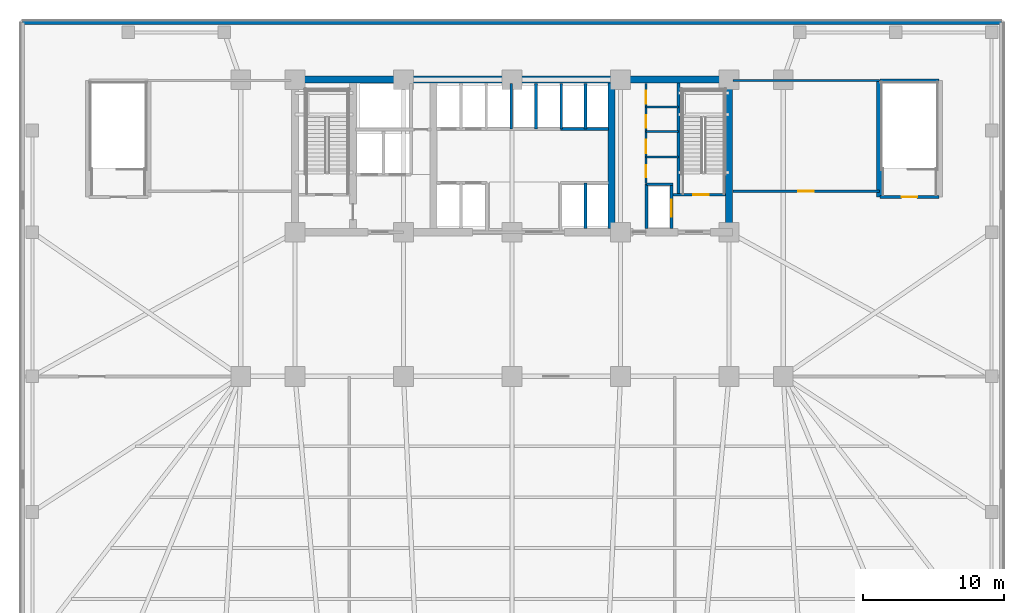
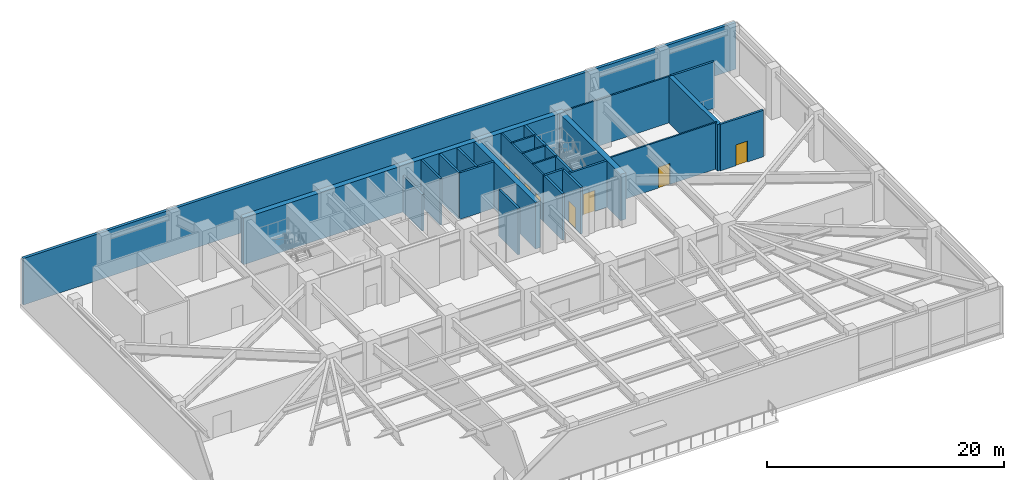
# One storey, part 9 of 15: 24 walls, 8 doors, 8 openings.
"""IFC4 building model written with IfcOpenShell, lengths in metres."""

from ifc_helpers import new_model, si_unit, direction, frame, frame_2d, origin, place, context, subcontext, project, spatial, rectangle, extrude, material, layer, layer_set, type_object, element, fill, save


model = new_model("IFC4")

# Units and contexts
model_context = context("Model", 3, precision=1e-05, world=origin(), true_north=direction((0.0, 1.0)))
body_context = subcontext(model_context, "Body", "Model", "MODEL_VIEW")
ifc_project = project(units=[si_unit("LENGTHUNIT", "METRE"), si_unit("AREAUNIT", "SQUARE_METRE"), si_unit("VOLUMEUNIT", "CUBIC_METRE"), si_unit("PLANEANGLEUNIT", "RADIAN"), si_unit("MASSUNIT", "GRAM", prefix="KILO")], contexts=[model_context])

# Site, building, storey
site_placement = place(None, origin())
site = spatial("IfcSite", under=ifc_project, at=site_placement, CompositionType="ELEMENT")
building_placement = place(site_placement, origin())
building = spatial("IfcBuilding", under=site, at=building_placement, Name="Yelkora Congress Tower", CompositionType="ELEMENT")
storey_placement = place(building_placement, frame((0.0, 0.0, 25.199951171875)))
storey = spatial("IfcBuildingStorey", under=building, at=storey_placement, Name="L05", CompositionType="ELEMENT", Elevation=25.199951171875)

# Walls
ifc_material_1 = material(Name="Concrete C50/60", Category="concrete")
ifc_layer_1 = layer(ifc_material_1, 0.219970703125)
ifc_layer_set_1 = layer_set([ifc_layer_1], Name="Concrete C50/60")
wall_type_1 = type_object("IfcWallType", Name="WALL-CORE-INT-220", PredefinedType="SHEAR", material=ifc_layer_set_1)
wall_1_placement = place(storey_placement, frame((50.179931640625, 38.050048828125, 0.0), z_axis=(0.0, 0.0, 1.0), x_axis=(0.0, 1.0, 0.0)))
element("IfcWall", 1, at=wall_1_placement, inside=storey, type_object=wall_type_1, Name="L05 ST02 West Stair Shear Wall", PredefinedType="SHEAR", context=body_context, shape_type="SweptSolid", body=[
    extrude(rectangle(XDim=7.89990234375, YDim=0.219970703125, at=frame_2d((3.949951171875, 0.0))), origin(), (0.0, 0.0, 1.0), 4.780029296875),
])
ifc_layer_2 = layer(ifc_material_1, 0.39990234375)
ifc_layer_set_2 = layer_set([ifc_layer_2], Name="Concrete C50/60")
wall_type_2 = type_object("IfcWallType", Name="WALL-CORE-INT-400", PredefinedType="SHEAR", material=ifc_layer_set_2)
wall_2_placement = place(storey_placement, frame((64.39990234375, 37.89990234375, 0.0), z_axis=(0.0, 0.0, 1.0), x_axis=(0.0, 1.0, 0.0)))
element("IfcWall", 2, at=wall_2_placement, inside=storey, type_object=wall_type_2, Name="L05 STP2 West Shear Wall", PredefinedType="SHEAR", context=body_context, shape_type="SweptSolid", body=[
    extrude(rectangle(XDim=8.25, YDim=0.39990234375, at=frame_2d((4.125, 0.0))), origin(), (0.0, 0.0, 1.0), 4.780029296875),
])
ifc_material_2 = material(Name="Concrete C60/75", Category="concrete")
ifc_layer_3 = layer(ifc_material_2, 0.5)
ifc_layer_set_3 = layer_set([ifc_layer_3], Name="Concrete C60/75")
wall_type_3 = type_object("IfcWallType", Name="WALL-CORE-INT-500", PredefinedType="SHEAR", material=ifc_layer_set_3)
wall_3_placement = place(storey_placement, frame((22.7900390625, 46.199951171875, 0.0), z_axis=(0.0, 0.0, 1.0), x_axis=(1.0, 0.0, 0.0)))
element("IfcWall", 3, at=wall_3_placement, inside=storey, type_object=wall_type_3, Name="L05 Rear Core North Shear Wall", PredefinedType="SHEAR", context=body_context, shape_type="SweptSolid", body=[
    extrude(rectangle(XDim=31.219970703125, YDim=0.5, at=frame_2d((15.60986328125, 0.0))), origin(), (0.0, 0.0, 1.0), 4.780029296875),
])
for number, where, z_axis, x_axis, name in (
    (4, (45.449951171875, 35.64990234375, 0.0), (0.0, 0.0, 1.0), (0.0, 1.0, 0.0), "L05 Rear Core Cross Shear Wall C3"),
    (5, (53.760009765625, 35.64990234375, 0.0), (0.0, 0.0, 1.0), (0.0, 1.0, 0.0), "L05 Rear Core Cross Shear Wall E"),
):
    element("IfcWall", number, at=place(storey_placement, frame(where, z_axis=z_axis, x_axis=x_axis)), inside=storey, type_object=wall_type_3, Name=name, PredefinedType="SHEAR", context=body_context, shape_type="SweptSolid", body=[
        extrude(rectangle(XDim=10.300048828125, YDim=0.5, at=frame_2d((5.14990234375, 0.0))), origin(), (0.0, 0.0, 1.0), 4.780029296875),
    ])
ifc_material_3 = material(Name="Concrete C40/50", Category="concrete")
ifc_layer_4 = layer(ifc_material_3, 0.280029296875)
ifc_layer_set_4 = layer_set([ifc_layer_4], Name="Concrete C40/50")
wall_type_4 = type_object("IfcWallType", Name="WALL-EXT-LIMESTONE-280", PredefinedType="SOLIDWALL", material=ifc_layer_set_4)
wall_4_placement = place(storey_placement, frame((3.760009765625, 50.239990234375, 0.0), z_axis=(0.0, 0.0, 1.0), x_axis=(1.0, 0.0, 0.0)))
element("IfcWall", 6, at=wall_4_placement, inside=storey, type_object=wall_type_4, Name="L05 Podium Limestone Wall 2", PredefinedType="SOLIDWALL", context=body_context, shape_type="SweptSolid", body=[
    extrude(rectangle(XDim=69.280029296875, YDim=0.280029296875, at=frame_2d((34.64013671875, 0.0))), origin(), (0.0, 0.0, 1.0), 4.780029296875),
])
ifc_material_4 = material(Name="Acoustic metal-stud gypsum partition", Category="gypsum")
ifc_layer_5 = layer(ifc_material_4, 0.14990234375)
ifc_layer_set_5 = layer_set([ifc_layer_5], Name="Acoustic metal-stud gypsum partition")
wall_type_5 = type_object("IfcWallType", Name="WALL-INT-150-NR", PredefinedType="PARTITIONING", material=ifc_layer_set_5)
for number, where, z_axis, x_axis, name in (
    (7, (47.8798828125, 40.719970703125, 0.0), (0.0, 0.0, 1.0), (1.0, 0.0, 0.0), "L05 Partition Wall 28"),
    (8, (47.8798828125, 42.52001953125, 0.0), (0.0, 0.0, 1.0), (1.0, 0.0, 0.0), "L05 Partition Wall 29"),
    (9, (47.8798828125, 44.280029296875, 0.0), (0.0, 0.0, 1.0), (1.0, 0.0, 0.0), "L05 Partition Wall 30"),
):
    element("IfcWall", number, at=place(storey_placement, frame(where, z_axis=z_axis, x_axis=x_axis)), inside=storey, type_object=wall_type_5, Name=name, PredefinedType="PARTITIONING", context=body_context, shape_type="SweptSolid", body=[
        extrude(rectangle(XDim=2.300048828125, YDim=0.14990234375, at=frame_2d((1.14990234375, 0.0))), origin(), (0.0, 0.0, 1.0), 4.780029296875),
    ])

# Wall, openings, doors
wall_5_placement = place(storey_placement, frame((47.8798828125, 38.85009765625, 0.0), z_axis=(0.0, 0.0, 1.0), x_axis=(0.0, 1.0, 0.0)))
wall_5 = element("IfcWall", 10, at=wall_5_placement, inside=storey, type_object=wall_type_5, Name="L05 Partition Wall 31", PredefinedType="PARTITIONING", context=body_context, shape_type="SweptSolid", body=[
    extrude(rectangle(XDim=7.06982421875, YDim=0.14990234375, at=frame_2d((3.534912109375, 0.0))), origin(), (0.0, 0.0, 1.0), 4.780029296875),
])
opening_1_placement = place(wall_5_placement, frame((0.449951171875, 0.0, 0.0)))
opening_1 = element("IfcOpeningElement", 11, at=opening_1_placement, cuts=wall_5, Name="Opening DR-085N", PredefinedType="OPENING", context=body_context, shape_type="SweptSolid", body=[
    extrude(rectangle(XDim=0.85009765625, YDim=2.14990234375, at=frame_2d((0.425048828125, 1.074951171875))), frame((0.0, 0.0849609375, 0.0), z_axis=(0.0, -1.0, 0.0), x_axis=(1.0, 0.0, 0.0)), (0.0, 0.0, 1.0), 0.169921875),
])
opening_2_placement = place(wall_5_placement, frame((2.14990234375, 0.0, 0.0)))
opening_2 = element("IfcOpeningElement", 12, at=opening_2_placement, cuts=wall_5, Name="Opening DR-095N", PredefinedType="OPENING", context=body_context, shape_type="SweptSolid", body=[
    extrude(rectangle(XDim=0.949951171875, YDim=2.14990234375, at=frame_2d((0.47509765625, 1.074951171875))), frame((0.0, 0.0849609375, 0.0), z_axis=(0.0, -1.0, 0.0), x_axis=(1.0, 0.0, 0.0)), (0.0, 0.0, 1.0), 0.169921875),
])
opening_3_placement = place(wall_5_placement, frame((3.949951171875, 0.0, 0.0)))
opening_3 = element("IfcOpeningElement", 13, at=opening_3_placement, cuts=wall_5, Name="Opening DR-090N", PredefinedType="OPENING", context=body_context, shape_type="SweptSolid", body=[
    extrude(rectangle(XDim=0.89990234375, YDim=2.14990234375, at=frame_2d((0.449951171875, 1.074951171875))), frame((0.0, 0.0849609375, 0.0), z_axis=(0.0, -1.0, 0.0), x_axis=(1.0, 0.0, 0.0)), (0.0, 0.0, 1.0), 0.169921875),
])
opening_4_placement = place(wall_5_placement, frame((5.64990234375, 0.0, 0.0)))
opening_4 = element("IfcOpeningElement", 14, at=opening_4_placement, cuts=wall_5, Name="Opening DR-090N", PredefinedType="OPENING", context=body_context, shape_type="SweptSolid", body=[
    extrude(rectangle(XDim=0.89990234375, YDim=2.14990234375, at=frame_2d((0.449951171875, 1.074951171875))), frame((0.0, 0.0849609375, 0.0), z_axis=(0.0, -1.0, 0.0), x_axis=(1.0, 0.0, 0.0)), (0.0, 0.0, 1.0), 0.169921875),
])
ifc_material_5 = material(Name="Laminate service store door leaf", Category="wood")
door_type_1 = type_object("IfcDoorType", Name="DOOR-INT-850", OperationType="NOTDEFINED", PredefinedType="DOOR", material=ifc_material_5)
door_1_placement = place(opening_1_placement, origin())
door_1 = element("IfcDoor", 15, at=door_1_placement, inside=storey, type_object=door_type_1, Name="L05 Janitor Room Door", OperationType="SINGLE_SWING_RIGHT", OverallHeight=2.14990234375, OverallWidth=0.85009765625, PredefinedType="DOOR", context=body_context, shape_type="SweptSolid", body=[
    extrude(rectangle(XDim=0.85009765625, YDim=2.14990234375, at=frame_2d((0.425048828125, 1.074951171875))), frame((0.0, 0.02490234375, 0.0), z_axis=(0.0, -1.0, 0.0), x_axis=(1.0, 0.0, 0.0)), (0.0, 0.0, 1.0), 0.050048828125),
])
fill(opening_1, door_1)
ifc_material_6 = material(Name="Moisture-resistant laminate door leaf", Category="wood")
door_type_2 = type_object("IfcDoorType", Name="DOOR-INT-900", OperationType="NOTDEFINED", PredefinedType="DOOR", material=ifc_material_6)
door_2_placement = place(opening_3_placement, origin())
door_2 = element("IfcDoor", 16, at=door_2_placement, inside=storey, type_object=door_type_2, Name="L05 Male WC Door", OperationType="SINGLE_SWING_RIGHT", OverallHeight=2.14990234375, OverallWidth=0.89990234375, PredefinedType="DOOR", context=body_context, shape_type="SweptSolid", body=[
    extrude(rectangle(XDim=0.89990234375, YDim=2.14990234375, at=frame_2d((0.449951171875, 1.074951171875))), frame((0.0, 0.02490234375, 0.0), z_axis=(0.0, -1.0, 0.0), x_axis=(1.0, 0.0, 0.0)), (0.0, 0.0, 1.0), 0.050048828125),
])
fill(opening_3, door_2)
door_3_placement = place(opening_4_placement, origin())
door_3 = element("IfcDoor", 17, at=door_3_placement, inside=storey, type_object=door_type_2, Name="L05 Female WC Door", OperationType="SINGLE_SWING_LEFT", OverallHeight=2.14990234375, OverallWidth=0.89990234375, PredefinedType="DOOR", context=body_context, shape_type="SweptSolid", body=[
    extrude(rectangle(XDim=0.89990234375, YDim=2.14990234375, at=frame_2d((0.449951171875, 1.074951171875))), frame((0.0, 0.02490234375, 0.0), z_axis=(0.0, -1.0, 0.0), x_axis=(1.0, 0.0, 0.0)), (0.0, 0.0, 1.0), 0.050048828125),
])
fill(opening_4, door_3)
ifc_material_7 = material(Name="Acoustic laminated timber office door", Category="wood")
door_type_3 = type_object("IfcDoorType", Name="DOOR-INT-950", OperationType="NOTDEFINED", PredefinedType="DOOR", material=ifc_material_7)
door_4_placement = place(opening_2_placement, origin())
door_4 = element("IfcDoor", 18, at=door_4_placement, inside=storey, type_object=door_type_3, Name="L05 Accessible WC Door", OperationType="SINGLE_SWING_LEFT", OverallHeight=2.14990234375, OverallWidth=0.949951171875, PredefinedType="DOOR", context=body_context, shape_type="SweptSolid", body=[
    extrude(rectangle(XDim=0.949951171875, YDim=2.14990234375, at=frame_2d((0.47509765625, 1.074951171875))), frame((0.0, 0.02490234375, 0.0), z_axis=(0.0, -1.0, 0.0), x_axis=(1.0, 0.0, 0.0)), (0.0, 0.0, 1.0), 0.050048828125),
])
fill(opening_2, door_4)

# Wall, opening, door
wall_6_placement = place(storey_placement, frame((54.050048828125, 38.300048828125, 0.0), z_axis=(0.0, 0.0, 1.0), x_axis=(1.0, 0.0, 0.0)))
wall_6 = element("IfcWall", 19, at=wall_6_placement, inside=storey, type_object=wall_type_5, Name="L05 Partition Wall 38", PredefinedType="PARTITIONING", context=body_context, shape_type="SweptSolid", body=[
    extrude(rectangle(XDim=10.349853515625, YDim=0.14990234375, at=frame_2d((5.1748046875, 0.0))), origin(), (0.0, 0.0, 1.0), 4.780029296875),
])
opening_5_placement = place(wall_6_placement, frame((4.625, 0.0, 0.0)))
opening_5 = element("IfcOpeningElement", 20, at=opening_5_placement, cuts=wall_6, Name="Opening DR-110N", PredefinedType="OPENING", context=body_context, shape_type="SweptSolid", body=[
    extrude(rectangle(XDim=1.10009765625, YDim=2.14990234375, at=frame_2d((0.550048828125, 1.074951171875))), frame((0.0, 0.0849609375, 0.0), z_axis=(0.0, -1.0, 0.0), x_axis=(1.0, 0.0, 0.0)), (0.0, 0.0, 1.0), 0.169921875),
])
ifc_material_8 = material(Name="Solid-core Anatolian oak veneer door", Category="wood")
door_type_4 = type_object("IfcDoorType", Name="DOOR-INT-1100", OperationType="NOTDEFINED", PredefinedType="DOOR", material=ifc_material_8)
door_5_placement = place(opening_5_placement, origin())
door_5 = element("IfcDoor", 21, at=door_5_placement, inside=storey, type_object=door_type_4, Name="L05 Interior Door 21", OperationType="SINGLE_SWING_LEFT", OverallHeight=2.14990234375, OverallWidth=1.10009765625, PredefinedType="DOOR", context=body_context, shape_type="SweptSolid", body=[
    extrude(rectangle(XDim=1.10009765625, YDim=2.14990234375, at=frame_2d((0.550048828125, 1.074951171875))), frame((0.0, 0.02490234375, 0.0), z_axis=(0.0, -1.0, 0.0), x_axis=(1.0, 0.0, 0.0)), (0.0, 0.0, 1.0), 0.050048828125),
])
fill(opening_5, door_5)

# Walls
wall_7_placement = place(storey_placement, frame((54.050048828125, 46.14990234375, 0.0), z_axis=(0.0, 0.0, 1.0), x_axis=(1.0, 0.0, 0.0)))
element("IfcWall", 22, at=wall_7_placement, inside=storey, type_object=wall_type_5, Name="L05 Partition Wall 39", PredefinedType="PARTITIONING", context=body_context, shape_type="SweptSolid", body=[
    extrude(rectangle(XDim=10.349853515625, YDim=0.14990234375, at=frame_2d((5.1748046875, 0.0))), origin(), (0.0, 0.0, 1.0), 4.780029296875),
])
ifc_material_9 = material(Name="Autoclaved aerated concrete blockwork", Category="masonry")
ifc_layer_6 = layer(ifc_material_9, 0.199951171875)
ifc_layer_set_6 = layer_set([ifc_layer_6], Name="Autoclaved aerated concrete blockwork")
wall_type_6 = type_object("IfcWallType", Name="WALL-INT-200-R120", PredefinedType="PARTITIONING", material=ifc_layer_set_6)
wall_8_placement = place(storey_placement, frame((38.35009765625, 42.699951171875, 0.0), z_axis=(0.0, 0.0, 1.0), x_axis=(0.0, 1.0, 0.0)))
element("IfcWall", 23, at=wall_8_placement, inside=storey, type_object=wall_type_6, Name="L05 Partition Wall 9", PredefinedType="PARTITIONING", context=body_context, shape_type="SweptSolid", body=[
    extrude(rectangle(XDim=3.219970703125, YDim=0.199951171875, at=frame_2d((1.60986328125, 0.0))), origin(), (0.0, 0.0, 1.0), 3.76708984375),
])
wall_9_placement = place(storey_placement, frame((40.10009765625, 42.699951171875, 0.0), z_axis=(0.0, 0.0, 1.0), x_axis=(0.0, 1.0, 0.0)))
element("IfcWall", 24, at=wall_9_placement, inside=storey, type_object=wall_type_6, Name="L05 Partition Wall 10", PredefinedType="PARTITIONING", context=body_context, shape_type="SweptSolid", body=[
    extrude(rectangle(XDim=3.219970703125, YDim=0.199951171875, at=frame_2d((1.60986328125, 0.0))), origin(), (0.0, 0.0, 1.0), 4.780029296875),
])
wall_10_placement = place(storey_placement, frame((41.85009765625, 42.699951171875, 0.0), z_axis=(0.0, 0.0, 1.0), x_axis=(1.0, 0.0, 0.0)))
element("IfcWall", 25, at=wall_10_placement, inside=storey, type_object=wall_type_6, Name="L05 Partition Wall 18", PredefinedType="PARTITIONING", context=body_context, shape_type="SweptSolid", body=[
    extrude(rectangle(XDim=3.369873046875, YDim=0.199951171875, at=frame_2d((1.68505859375, 0.0))), origin(), (0.0, 0.0, 1.0), 4.780029296875),
])
wall_11_placement = place(storey_placement, frame((43.60009765625, 35.64990234375, 0.0), z_axis=(0.0, 0.0, 1.0), x_axis=(0.0, 1.0, 0.0)))
element("IfcWall", 26, at=wall_11_placement, inside=storey, type_object=wall_type_6, Name="L05 Partition Wall 19", PredefinedType="PARTITIONING", context=body_context, shape_type="SweptSolid", body=[
    extrude(rectangle(XDim=3.25, YDim=0.199951171875, at=frame_2d((1.625, 0.0))), origin(), (0.0, 0.0, 1.0), 4.780029296875),
])
for number, where, z_axis, x_axis, name in (
    (27, (43.60009765625, 42.699951171875, 0.0), (0.0, 0.0, 1.0), (0.0, 1.0, 0.0), "L05 Partition Wall 20"),
    (28, (41.8798828125, 42.699951171875, 0.0), (0.0, 0.0, 1.0), (0.0, 1.0, 0.0), "L05 Partition Wall 22"),
):
    element("IfcWall", number, at=place(storey_placement, frame(where, z_axis=z_axis, x_axis=x_axis)), inside=storey, type_object=wall_type_6, Name=name, PredefinedType="PARTITIONING", context=body_context, shape_type="SweptSolid", body=[
        extrude(rectangle(XDim=3.219970703125, YDim=0.199951171875, at=frame_2d((1.60986328125, 0.0))), origin(), (0.0, 0.0, 1.0), 4.780029296875),
    ])

# Wall, opening, door
wall_12_placement = place(storey_placement, frame((49.780029296875, 38.050048828125, 0.0), z_axis=(0.0, 0.0, 1.0), x_axis=(1.0, 0.0, 0.0)))
wall_12 = element("IfcWall", 29, at=wall_12_placement, inside=storey, type_object=wall_type_6, Name="L05 Stair ST-02 Enclosure Wall", PredefinedType="PARTITIONING", context=body_context, shape_type="SweptSolid", body=[
    extrude(rectangle(XDim=3.719970703125, YDim=0.199951171875, at=frame_2d((1.85986328125, 0.0))), origin(), (0.0, 0.0, 1.0), 4.780029296875),
])
opening_6_placement = place(wall_12_placement, frame((1.436279296875, 0.0, 0.0)))
opening_6 = element("IfcOpeningElement", 30, at=opening_6_placement, cuts=wall_12, Name="Opening DR-110F9", PredefinedType="OPENING", context=body_context, shape_type="SweptSolid", body=[
    extrude(rectangle(XDim=1.10009765625, YDim=2.14990234375, at=frame_2d((0.550048828125, 1.074951171875))), frame((0.0, 0.10986328125, 0.0), z_axis=(0.0, -1.0, 0.0), x_axis=(1.0, 0.0, 0.0)), (0.0, 0.0, 1.0), 0.219970703125),
])
ifc_material_10 = material(Name="Galvanised steel fire door leaf", Category="steel")
door_type_5 = type_object("IfcDoorType", Name="DOOR-FD90-1100", OperationType="NOTDEFINED", PredefinedType="DOOR", material=ifc_material_10)
door_6_placement = place(opening_6_placement, origin())
door_6 = element("IfcDoor", 31, at=door_6_placement, inside=storey, type_object=door_type_5, Name="L05 Stair ST-02 Entry Door", OperationType="SINGLE_SWING_LEFT", OverallHeight=2.14990234375, OverallWidth=1.10009765625, PredefinedType="DOOR", context=body_context, shape_type="SweptSolid", body=[
    extrude(rectangle(XDim=1.10009765625, YDim=2.14990234375, at=frame_2d((0.550048828125, 1.074951171875))), frame((0.0, 0.02490234375, 0.0), z_axis=(0.0, -1.0, 0.0), x_axis=(1.0, 0.0, 0.0)), (0.0, 0.0, 1.0), 0.050048828125),
])
fill(opening_6, door_6)

wall_13_placement = place(storey_placement, frame((49.699951171875, 35.64990234375, 0.0), z_axis=(0.0, 0.0, 1.0), x_axis=(0.0, 1.0, 0.0)))
wall_13 = element("IfcWall", 32, at=wall_13_placement, inside=storey, type_object=wall_type_6, Name="L05 Partition Wall 25", PredefinedType="PARTITIONING", context=body_context, shape_type="SweptSolid", body=[
    extrude(rectangle(XDim=3.150146484375, YDim=0.199951171875, at=frame_2d((1.5751953125, 0.0))), origin(), (0.0, 0.0, 1.0), 4.780029296875),
])
opening_7_placement = place(wall_13_placement, frame((0.85009765625, 0.0, 0.0)))
opening_7 = element("IfcOpeningElement", 33, at=opening_7_placement, cuts=wall_13, Name="Opening LD-SV12", PredefinedType="OPENING", context=body_context, shape_type="SweptSolid", body=[
    extrude(rectangle(XDim=1.199951171875, YDim=2.199951171875, at=frame_2d((0.60009765625, 1.10009765625))), frame((0.0, 0.10986328125, 0.0), z_axis=(0.0, -1.0, 0.0), x_axis=(1.0, 0.0, 0.0)), (0.0, 0.0, 1.0), 0.219970703125),
])
ifc_material_11 = material(Name="Heavy-duty stainless steel landing door", Category="steel")
door_type_6 = type_object("IfcDoorType", Name="DOOR-LIFT-SRV-1200", OperationType="DOUBLE_DOOR_SLIDING", PredefinedType="DOOR", material=ifc_material_11)
door_7_placement = place(opening_7_placement, origin())
door_7 = element("IfcDoor", 34, at=door_7_placement, inside=storey, type_object=door_type_6, Name="Service Lift Landing Door LF-SV1 L05", OperationType="DOUBLE_DOOR_SLIDING", OverallHeight=2.199951171875, OverallWidth=1.199951171875, PredefinedType="DOOR", context=body_context, shape_type="SweptSolid", body=[
    extrude(rectangle(XDim=1.199951171875, YDim=2.199951171875, at=frame_2d((0.60009765625, 1.10009765625))), frame((0.0, 0.02490234375, 0.0), z_axis=(0.0, -1.0, 0.0), x_axis=(1.0, 0.0, 0.0)), (0.0, 0.0, 1.0), 0.050048828125),
])
fill(opening_7, door_7)

# Walls
wall_14_placement = place(storey_placement, frame((47.919921875, 35.64990234375, 0.0), z_axis=(0.0, 0.0, 1.0), x_axis=(0.0, 1.0, 0.0)))
element("IfcWall", 35, at=wall_14_placement, inside=storey, type_object=wall_type_6, Name="L05 Partition Wall 26", PredefinedType="PARTITIONING", context=body_context, shape_type="SweptSolid", body=[
    extrude(rectangle(XDim=3.150146484375, YDim=0.199951171875, at=frame_2d((1.5751953125, 0.0))), origin(), (0.0, 0.0, 1.0), 4.780029296875),
])
wall_15_placement = place(storey_placement, frame((47.919921875, 38.800048828125, 0.0), z_axis=(0.0, 0.0, 1.0), x_axis=(1.0, 0.0, 0.0)))
element("IfcWall", 36, at=wall_15_placement, inside=storey, type_object=wall_type_6, Name="L05 Partition Wall 27", PredefinedType="PARTITIONING", context=body_context, shape_type="SweptSolid", body=[
    extrude(rectangle(XDim=1.860107421875, YDim=0.199951171875, at=frame_2d((0.93017578125, 0.0))), origin(), (0.0, 0.0, 1.0), 4.780029296875),
])

# Wall, opening, door
wall_16_placement = place(storey_placement, frame((64.43994140625, 37.89990234375, 0.0), z_axis=(0.0, 0.0, 1.0), x_axis=(1.0, 0.0, 0.0)))
wall_16 = element("IfcWall", 37, at=wall_16_placement, inside=storey, type_object=wall_type_6, Name="L05 Partition Wall 34", PredefinedType="PARTITIONING", context=body_context, shape_type="SweptSolid", body=[
    extrude(rectangle(XDim=4.18017578125, YDim=0.199951171875, at=frame_2d((2.090087890625, 0.0))), origin(), (0.0, 0.0, 1.0), 4.780029296875),
])
opening_8_placement = place(wall_16_placement, frame((1.5400390625, 0.0, 0.0)))
opening_8 = element("IfcOpeningElement", 38, at=opening_8_placement, cuts=wall_16, Name="Opening DR-110F9", PredefinedType="OPENING", context=body_context, shape_type="SweptSolid", body=[
    extrude(rectangle(XDim=1.10009765625, YDim=2.14990234375, at=frame_2d((0.550048828125, 1.074951171875))), frame((0.0, 0.10986328125, 0.0), z_axis=(0.0, -1.0, 0.0), x_axis=(1.0, 0.0, 0.0)), (0.0, 0.0, 1.0), 0.219970703125),
])
door_8_placement = place(opening_8_placement, origin())
door_8 = element("IfcDoor", 39, at=door_8_placement, inside=storey, type_object=door_type_5, Name="L05 ST-P2 Door", OperationType="SINGLE_SWING_LEFT", OverallHeight=2.14990234375, OverallWidth=1.10009765625, PredefinedType="DOOR", context=body_context, shape_type="SweptSolid", body=[
    extrude(rectangle(XDim=1.10009765625, YDim=2.14990234375, at=frame_2d((0.550048828125, 1.074951171875))), frame((0.0, 0.02490234375, 0.0), z_axis=(0.0, -1.0, 0.0), x_axis=(1.0, 0.0, 0.0)), (0.0, 0.0, 1.0), 0.050048828125),
])
fill(opening_8, door_8)

# Wall
wall_17_placement = place(storey_placement, frame((64.43994140625, 46.14990234375, 0.0), z_axis=(0.0, 0.0, 1.0), x_axis=(1.0, 0.0, 0.0)))
element("IfcWall", 40, at=wall_17_placement, inside=storey, type_object=wall_type_6, Name="L05 Partition Wall 35", PredefinedType="PARTITIONING", context=body_context, shape_type="SweptSolid", body=[
    extrude(rectangle(XDim=4.18017578125, YDim=0.199951171875, at=frame_2d((2.090087890625, 0.0))), origin(), (0.0, 0.0, 1.0), 4.780029296875),
])

save(model, "model.ifc")
